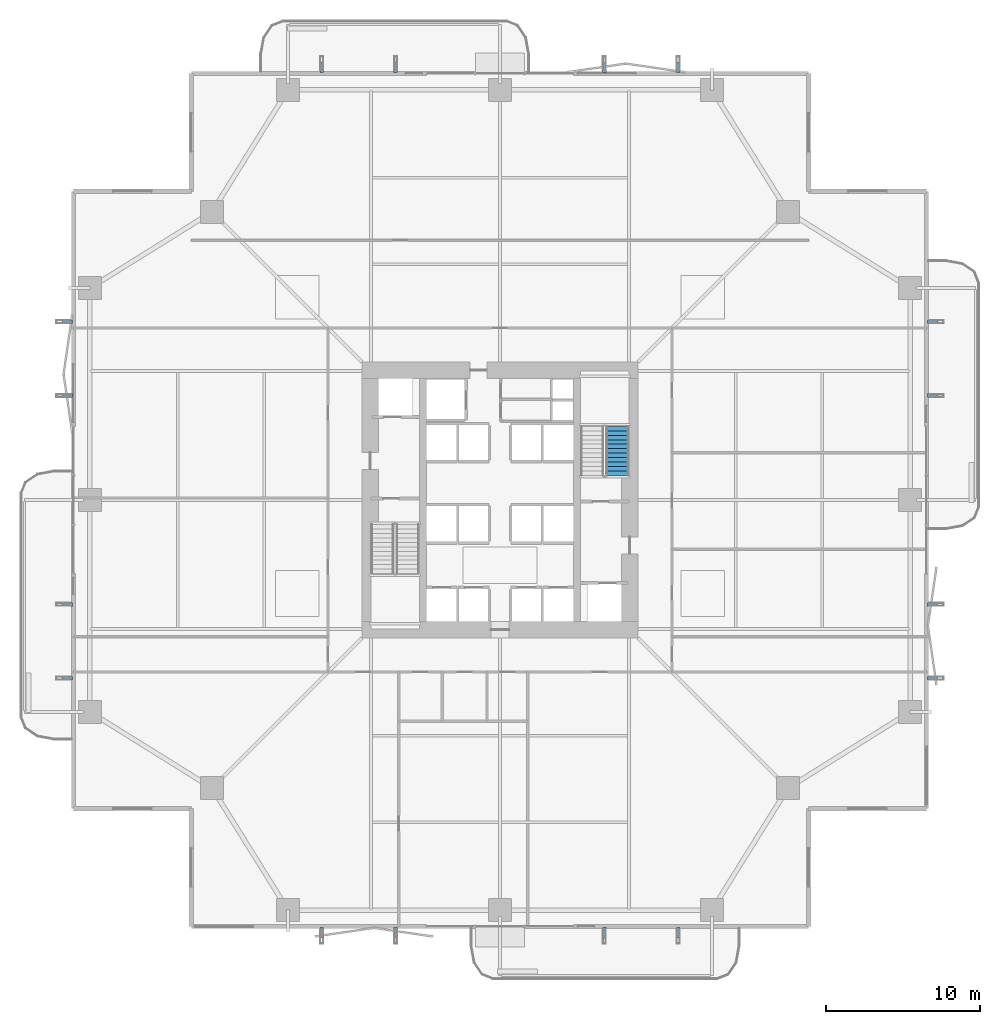
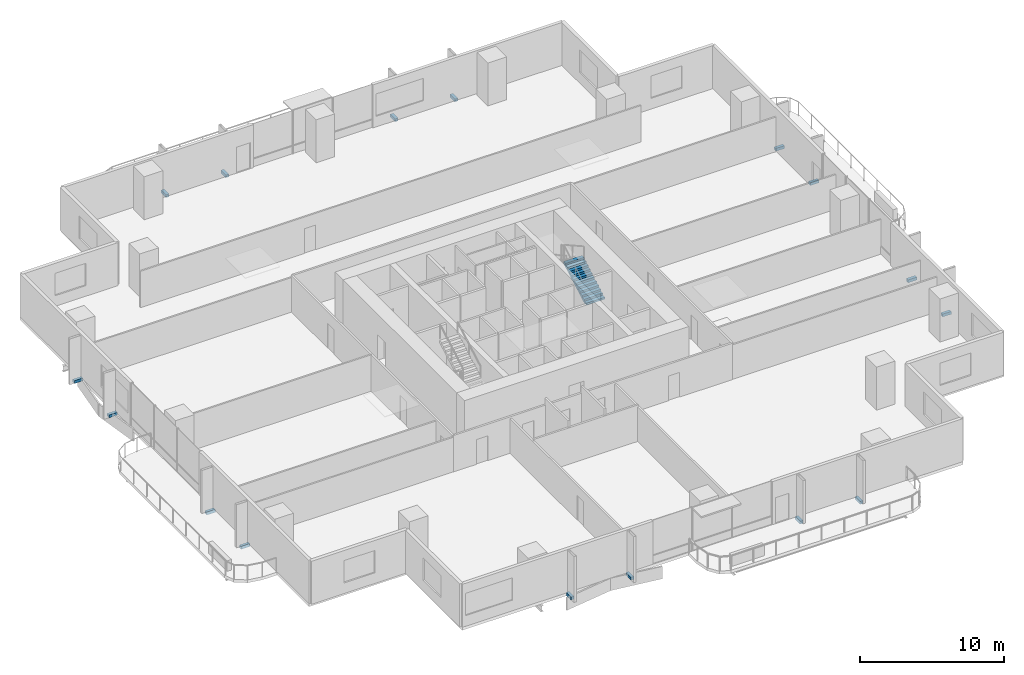
# One storey, part 20 of 24: 16 discrete accessories, 1 stair flight, 1 element without a shape of its own.
"""IFC4 building model written with IfcOpenShell, lengths in metres."""

from ifc_helpers import new_model, si_unit, direction, frame, origin, origin_2d, place, context, subcontext, project, spatial, polyline, rectangle, outline, extrude, material, layer, layer_set, type_object, element, aggregate, save


model = new_model("IFC4")

# Units and contexts
model_context = context("Model", 3, precision=1e-05, world=origin(), true_north=direction((0.0, 1.0)))
body_context = subcontext(model_context, "Body", "Model", "MODEL_VIEW")
ifc_project = project(units=[si_unit("LENGTHUNIT", "METRE"), si_unit("AREAUNIT", "SQUARE_METRE"), si_unit("VOLUMEUNIT", "CUBIC_METRE"), si_unit("PLANEANGLEUNIT", "RADIAN"), si_unit("MASSUNIT", "GRAM", prefix="KILO")], contexts=[model_context])

# Site, building, storey
site_placement = place(None, origin())
site = spatial("IfcSite", under=ifc_project, at=site_placement, CompositionType="ELEMENT")
building_placement = place(site_placement, origin())
building = spatial("IfcBuilding", under=site, at=building_placement, Name="Belovzor Exchange Tower", CompositionType="ELEMENT")
storey_placement = place(building_placement, frame((0.0, 0.0, 92.39990234375)))
storey = spatial("IfcBuildingStorey", under=building, at=storey_placement, Name="L22", CompositionType="ELEMENT", Elevation=92.39990234375)

# Stair, stair flight
ifc_material_1 = material(Name="Concrete C40/50", Category="concrete")
stair_type = type_object("IfcStairType", Name="Reinforced Concrete Dogleg Escape Stair 1350", PredefinedType="HALF_TURN_STAIR", material=ifc_material_1)
stair_placement = place(storey_placement, origin())
stair = element("IfcStair", 1, at=stair_placement, inside=storey, type_object=stair_type, Name="L22 ST-2", PredefinedType="HALF_TURN_STAIR")
ifc_material_2 = material(Name="Concrete C40/50", Category="concrete")
stair_flight_type = type_object("IfcStairFlightType", Name="Reinforced Concrete Stair Flight 1350", PredefinedType="STRAIGHT", material=ifc_material_2)
stair_flight_placement = place(storey_placement, frame((36.449951171875, 30.39990234375, 0.0), z_axis=(0.0, 0.0, 1.0), x_axis=(0.0, 1.0, 0.0)))
stair_flight = element("IfcStairFlight", 2, at=stair_flight_placement, type_object=stair_flight_type, Name="ST-2 flight 1", NumberOfRisers=12, NumberOfTreads=11, PredefinedType="STRAIGHT", RiserHeight=0.1625, TreadLength=0.29, context=body_context, shape_type="SweptSolid", body=[
    extrude(outline(polyline([(0.0, 0.0), (0.0, 0.16259765625), (0.2900390625, 0.16259765625), (0.2900390625, 0.324951171875), (0.580078125, 0.324951171875), (0.580078125, 0.487548828125), (0.8701171875, 0.487548828125), (0.8701171875, 0.64990234375), (1.159912109375, 0.64990234375), (1.159912109375, 0.8125), (1.449951171875, 0.8125), (1.449951171875, 0.97509765625), (1.739990234375, 0.97509765625), (1.739990234375, 1.137451171875), (2.030029296875, 1.137451171875), (2.030029296875, 1.300048828125), (2.320068359375, 1.300048828125), (2.320068359375, 1.46240234375), (2.610107421875, 1.46240234375), (2.610107421875, 1.625), (2.89990234375, 1.625), (2.89990234375, 1.78759765625), (3.18994140625, 1.78759765625), (3.18994140625, 1.949951171875), (3.18994140625, 1.61572265625), (0.306640625, 0.0), (0.0, 0.0)])), frame((0.0, 0.75, 0.0), z_axis=(0.0, -1.0, 0.0), x_axis=(1.0, 0.0, 0.0)), (0.0, 0.0, 1.0), 1.5),
])
aggregate(stair, [stair_flight])

# Discrete accessories
ifc_material_3 = material(Name="Stainless Steel Grade 316", Category="steel")
ifc_layer = layer(ifc_material_3, 0.179931640625)
ifc_layer_set = layer_set([ifc_layer], Name="Stainless Steel Grade 316")
discrete_accessory_type = type_object("IfcDiscreteAccessoryType", Name="Stainless Steel Facade Outrigger Fixing Bracket", PredefinedType="BRACKET", material=ifc_layer_set)
for number, where, z_axis, x_axis, name in (
    (3, (17.199951171875, 0.636962890625, -0.2451171875), (0.0, 0.0, 1.0), (0.0, 1.0, 0.0), "BRK-FIN1 Sweeping Fin Outrigger Bracket L22 S1"),
    (4, (17.199951171875, 56.9619140625, -0.2451171875), (0.0, 0.0, 1.0), (0.0, 1.0, 0.0), "BRK-FIN1 Sweeping Fin Outrigger Bracket L22 N1"),
    (5, (0.636962890625, 17.199951171875, -0.2451171875), (0.0, 0.0, 1.0), (1.0, 0.0, 0.0), "BRK-FIN1 Sweeping Fin Outrigger Bracket L22 W1"),
    (6, (56.9619140625, 17.199951171875, -0.2451171875), (0.0, 0.0, 1.0), (1.0, 0.0, 0.0), "BRK-FIN1 Sweeping Fin Outrigger Bracket L22 E1"),
    (7, (22.0, 0.636962890625, -0.2451171875), (0.0, 0.0, 1.0), (0.0, 1.0, 0.0), "BRK-FIN1 Sweeping Fin Outrigger Bracket L22 S2"),
    (8, (22.0, 56.9619140625, -0.2451171875), (0.0, 0.0, 1.0), (0.0, 1.0, 0.0), "BRK-FIN1 Sweeping Fin Outrigger Bracket L22 N2"),
    (9, (0.636962890625, 22.0, -0.2451171875), (0.0, 0.0, 1.0), (1.0, 0.0, 0.0), "BRK-FIN1 Sweeping Fin Outrigger Bracket L22 W2"),
    (10, (56.9619140625, 22.0, -0.2451171875), (0.0, 0.0, 1.0), (1.0, 0.0, 0.0), "BRK-FIN1 Sweeping Fin Outrigger Bracket L22 E2"),
    (11, (35.60009765625, 0.636962890625, -0.2451171875), (0.0, 0.0, 1.0), (0.0, 1.0, 0.0), "BRK-FIN1 Sweeping Fin Outrigger Bracket L22 S3"),
    (12, (35.60009765625, 56.9619140625, -0.2451171875), (0.0, 0.0, 1.0), (0.0, 1.0, 0.0), "BRK-FIN1 Sweeping Fin Outrigger Bracket L22 N3"),
    (13, (0.636962890625, 35.60009765625, -0.2451171875), (0.0, 0.0, 1.0), (1.0, 0.0, 0.0), "BRK-FIN1 Sweeping Fin Outrigger Bracket L22 W3"),
    (14, (56.9619140625, 35.60009765625, -0.2451171875), (0.0, 0.0, 1.0), (1.0, 0.0, 0.0), "BRK-FIN1 Sweeping Fin Outrigger Bracket L22 E3"),
    (15, (40.39990234375, 0.636962890625, -0.2451171875), (0.0, 0.0, 1.0), (0.0, 1.0, 0.0), "BRK-FIN1 Sweeping Fin Outrigger Bracket L22 S4"),
    (16, (40.39990234375, 56.9619140625, -0.2451171875), (0.0, 0.0, 1.0), (0.0, 1.0, 0.0), "BRK-FIN1 Sweeping Fin Outrigger Bracket L22 N4"),
    (17, (0.636962890625, 40.39990234375, -0.2451171875), (0.0, 0.0, 1.0), (1.0, 0.0, 0.0), "BRK-FIN1 Sweeping Fin Outrigger Bracket L22 W4"),
    (18, (56.9619140625, 40.39990234375, -0.2451171875), (0.0, 0.0, 1.0), (1.0, 0.0, 0.0), "BRK-FIN1 Sweeping Fin Outrigger Bracket L22 E4"),
):
    element("IfcDiscreteAccessory", number, at=place(storey_placement, frame(where, z_axis=z_axis, x_axis=x_axis)), inside=storey, type_object=discrete_accessory_type, Name=name, PredefinedType="BRACKET", context=body_context, shape_type="SweptSolid", body=[
        extrude(rectangle(XDim=0.68505859375, YDim=0.239990234375, at=origin_2d()), origin(), (0.0, 0.0, 1.0), 0.239990234375),
    ])

save(model, "model.ifc")
